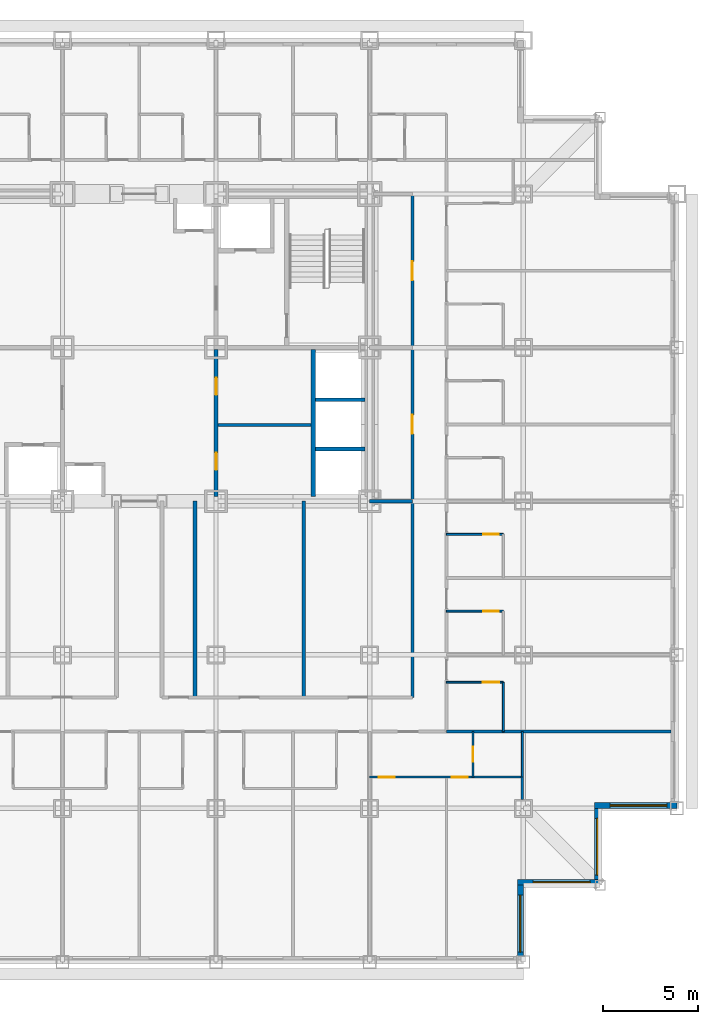
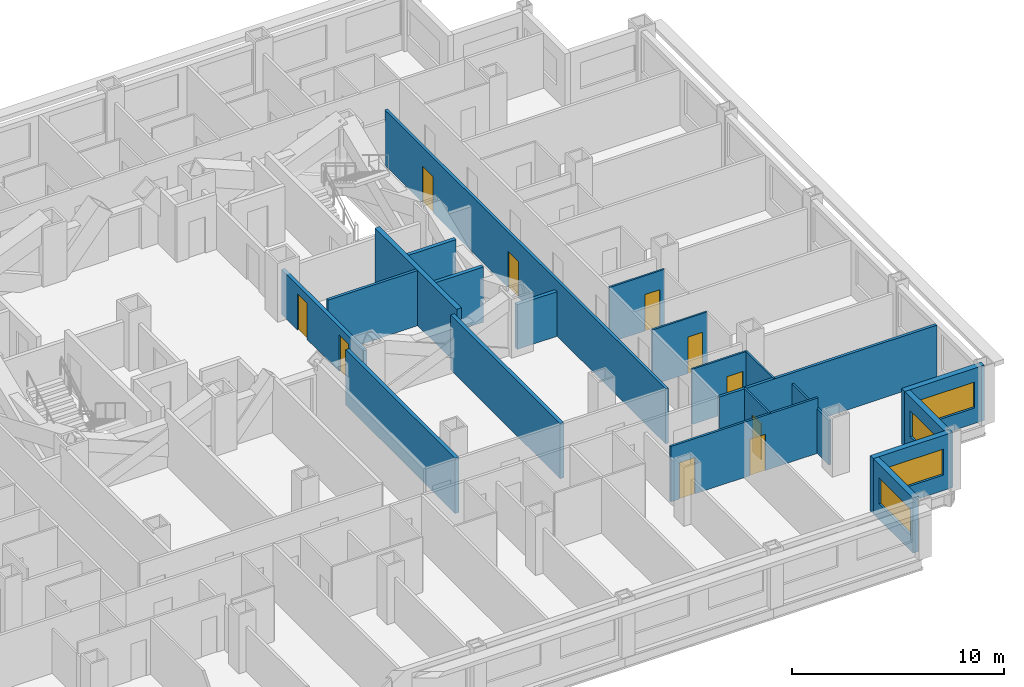
# One storey, part 6 of 11: 22 walls, 10 doors, 4 windows, 14 openings.
"""IFC4 building model written with IfcOpenShell, lengths in metres."""

from ifc_helpers import new_model, si_unit, direction, frame, frame_2d, origin, place, context, subcontext, project, spatial, rectangle, extrude, material, layer, layer_set, type_object, element, fill, save


model = new_model("IFC4")

# Units and contexts
model_context = context("Model", 3, precision=1e-05, world=origin(), true_north=direction((0.0, 1.0)))
body_context = subcontext(model_context, "Body", "Model", "MODEL_VIEW")
ifc_project = project(units=[si_unit("LENGTHUNIT", "METRE"), si_unit("AREAUNIT", "SQUARE_METRE"), si_unit("VOLUMEUNIT", "CUBIC_METRE"), si_unit("PLANEANGLEUNIT", "RADIAN"), si_unit("MASSUNIT", "GRAM", prefix="KILO")], contexts=[model_context])

# Site, building, storey
site_placement = place(None, origin())
site = spatial("IfcSite", under=ifc_project, at=site_placement, CompositionType="ELEMENT")
building_placement = place(site_placement, origin())
building = spatial("IfcBuilding", under=site, at=building_placement, Name="Kopane Lantern Tower", CompositionType="ELEMENT")
storey_placement = place(building_placement, frame((0.0, 0.0, 60.199951171875)))
storey = spatial("IfcBuildingStorey", under=building, at=storey_placement, Name="L14", CompositionType="ELEMENT", Elevation=60.199951171875)

# Wall, openings, doors
ifc_material_1 = material(Name="Gypsum board on steel studs", Category="steel")
ifc_layer_1 = layer(ifc_material_1, 0.1201171875)
ifc_layer_set_1 = layer_set([ifc_layer_1], Name="APARTMENT INTERNAL WALL 120")
wall_type_1 = type_object("IfcWallType", Name="APARTMENT INTERNAL WALL 120", PredefinedType="PARTITIONING", material=ifc_layer_set_1)
wall_1_placement = place(storey_placement, frame((40.5, 9.75, 0.0), z_axis=(0.0, 0.0, 1.0), x_axis=(1.0, 0.0, 0.0)))
wall_1 = element("IfcWall", 1, at=wall_1_placement, inside=storey, type_object=wall_type_1, Name="Apartment Internal Wall 120 L14", PredefinedType="PARTITIONING", context=body_context, shape_type="SweptSolid", body=[
    extrude(rectangle(XDim=8.050048828125, YDim=0.1201171875, at=frame_2d((4.02490234375, 0.0))), origin(), (0.0, 0.0, 1.0), 3.18994140625),
])
opening_1_placement = place(wall_1_placement, frame((0.47509765625, 0.0, 0.0)))
opening_1 = element("IfcOpeningElement", 2, at=opening_1_placement, cuts=wall_1, Name="Opening L14-067", PredefinedType="OPENING", context=body_context, shape_type="SweptSolid", body=[
    extrude(rectangle(XDim=0.85009765625, YDim=2.10009765625, at=frame_2d((0.425048828125, 1.050048828125))), frame((0.0, 0.070068359375, 0.0), z_axis=(0.0, -1.0, 0.0), x_axis=(1.0, 0.0, 0.0)), (0.0, 0.0, 1.0), 0.14013671875),
])
opening_2_placement = place(wall_1_placement, frame((4.324951171875, 0.0, 0.0)))
opening_2 = element("IfcOpeningElement", 3, at=opening_2_placement, cuts=wall_1, Name="Opening L14-069", PredefinedType="OPENING", context=body_context, shape_type="SweptSolid", body=[
    extrude(rectangle(XDim=0.85009765625, YDim=2.10009765625, at=frame_2d((0.425048828125, 1.050048828125))), frame((0.0, 0.070068359375, 0.0), z_axis=(0.0, -1.0, 0.0), x_axis=(1.0, 0.0, 0.0)), (0.0, 0.0, 1.0), 0.14013671875),
])
ifc_material_2 = material(Name="Timber door set", Category="wood")
door_type_1 = type_object("IfcDoorType", Name="DOOR D4 850x2100", OperationType="SINGLE_SWING_LEFT", PredefinedType="DOOR", material=ifc_material_2)
door_1_placement = place(opening_1_placement, origin())
door_1 = element("IfcDoor", 4, at=door_1_placement, inside=storey, type_object=door_type_1, Name="Door L14-067", OperationType="SINGLE_SWING_LEFT", OverallHeight=2.10009765625, OverallWidth=0.85009765625, PredefinedType="DOOR", context=body_context, shape_type="SweptSolid", body=[
    extrude(rectangle(XDim=0.85009765625, YDim=2.10009765625, at=frame_2d((0.425048828125, 1.050048828125))), frame((0.0, 0.02490234375, 0.0), z_axis=(0.0, -1.0, 0.0), x_axis=(1.0, 0.0, 0.0)), (0.0, 0.0, 1.0), 0.050048828125),
])
fill(opening_1, door_1)
door_2_placement = place(opening_2_placement, origin())
door_2 = element("IfcDoor", 5, at=door_2_placement, inside=storey, type_object=door_type_1, Name="Door L14-069", OperationType="SINGLE_SWING_RIGHT", OverallHeight=2.10009765625, OverallWidth=0.85009765625, PredefinedType="DOOR", context=body_context, shape_type="SweptSolid", body=[
    extrude(rectangle(XDim=0.85009765625, YDim=2.10009765625, at=frame_2d((0.425048828125, 1.050048828125))), frame((0.0, 0.02490234375, 0.0), z_axis=(0.0, -1.0, 0.0), x_axis=(1.0, 0.0, 0.0)), (0.0, 0.0, 1.0), 0.050048828125),
])
fill(opening_2, door_2)

# Walls
wall_2_placement = place(storey_placement, frame((48.550048828125, 9.75, 0.0), z_axis=(0.0, 0.0, 1.0), x_axis=(0.0, -1.0, 0.0)))
element("IfcWall", 6, at=wall_2_placement, inside=storey, type_object=wall_type_1, Name="Apartment Internal Wall 120 L14", PredefinedType="PARTITIONING", context=body_context, shape_type="SweptSolid", body=[
    extrude(rectangle(XDim=1.175048828125, YDim=0.1201171875, at=frame_2d((0.58740234375, 0.0))), origin(), (0.0, 0.0, 1.0), 2.577880859375),
])
ifc_material_3 = material(Name="Moisture-resistant board on steel studs", Category="steel")
ifc_layer_2 = layer(ifc_material_3, 0.10009765625)
ifc_layer_set_2 = layer_set([ifc_layer_2], Name="BATHROOM WALL 100")
wall_type_2 = type_object("IfcWallType", Name="BATHROOM WALL 100", PredefinedType="PARTITIONING", material=ifc_layer_set_2)
wall_3_placement = place(storey_placement, frame((47.550048828125, 12.14990234375, 0.0), z_axis=(0.0, 0.0, 1.0), x_axis=(0.0, 1.0, 0.0)))
element("IfcWall", 7, at=wall_3_placement, inside=storey, type_object=wall_type_2, Name="Bathroom Wall 100 L14", PredefinedType="PARTITIONING", context=body_context, shape_type="SweptSolid", body=[
    extrude(rectangle(XDim=2.60009765625, YDim=0.10009765625, at=frame_2d((1.300048828125, 0.0))), origin(), (0.0, 0.0, 1.0), 3.18994140625),
])

# Wall, opening, door
wall_4_placement = place(storey_placement, frame((44.550048828125, 14.75, 0.0), z_axis=(0.0, 0.0, 1.0), x_axis=(1.0, 0.0, 0.0)))
wall_4 = element("IfcWall", 8, at=wall_4_placement, inside=storey, type_object=wall_type_2, Name="Bathroom Wall 100 L14", PredefinedType="PARTITIONING", context=body_context, shape_type="SweptSolid", body=[
    extrude(rectangle(XDim=3.0, YDim=0.10009765625, at=frame_2d((1.5, 0.0))), origin(), (0.0, 0.0, 1.0), 3.18994140625),
])
opening_3_placement = place(wall_4_placement, frame((1.925048828125, 0.0, 0.0)))
opening_3 = element("IfcOpeningElement", 9, at=opening_3_placement, cuts=wall_4, Name="Opening L14-048", PredefinedType="OPENING", context=body_context, shape_type="SweptSolid", body=[
    extrude(rectangle(XDim=0.85009765625, YDim=2.10009765625, at=frame_2d((0.425048828125, 1.050048828125))), frame((0.0, 0.06005859375, 0.0), z_axis=(0.0, -1.0, 0.0), x_axis=(1.0, 0.0, 0.0)), (0.0, 0.0, 1.0), 0.1201171875),
])
door_3_placement = place(opening_3_placement, origin())
door_3 = element("IfcDoor", 10, at=door_3_placement, inside=storey, type_object=door_type_1, Name="Door L14-048", OperationType="SINGLE_SWING_LEFT", OverallHeight=2.10009765625, OverallWidth=0.85009765625, PredefinedType="DOOR", context=body_context, shape_type="SweptSolid", body=[
    extrude(rectangle(XDim=0.85009765625, YDim=2.10009765625, at=frame_2d((0.425048828125, 1.050048828125))), frame((0.0, 0.02490234375, 0.0), z_axis=(0.0, -1.0, 0.0), x_axis=(1.0, 0.0, 0.0)), (0.0, 0.0, 1.0), 0.050048828125),
])
fill(opening_3, door_3)

wall_5_placement = place(storey_placement, frame((44.550048828125, 18.5, 0.0), z_axis=(0.0, 0.0, 1.0), x_axis=(1.0, 0.0, 0.0)))
wall_5 = element("IfcWall", 11, at=wall_5_placement, inside=storey, type_object=wall_type_2, Name="Bathroom Wall 100 L14", PredefinedType="PARTITIONING", context=body_context, shape_type="SweptSolid", body=[
    extrude(rectangle(XDim=3.0, YDim=0.10009765625, at=frame_2d((1.5, 0.0))), origin(), (0.0, 0.0, 1.0), 3.18994140625),
])
opening_4_placement = place(wall_5_placement, frame((1.949951171875, 0.0, 0.0)))
opening_4 = element("IfcOpeningElement", 12, at=opening_4_placement, cuts=wall_5, Name="Opening L14-050", PredefinedType="OPENING", context=body_context, shape_type="SweptSolid", body=[
    extrude(rectangle(XDim=0.800048828125, YDim=2.10009765625, at=frame_2d((0.39990234375, 1.050048828125))), frame((0.0, 0.06005859375, 0.0), z_axis=(0.0, -1.0, 0.0), x_axis=(1.0, 0.0, 0.0)), (0.0, 0.0, 1.0), 0.1201171875),
])
ifc_material_4 = material(Name="Timber door set", Category="wood")
door_type_2 = type_object("IfcDoorType", Name="DOOR D2 800x2100", OperationType="SINGLE_SWING_LEFT", PredefinedType="DOOR", material=ifc_material_4)
door_4_placement = place(opening_4_placement, origin())
door_4 = element("IfcDoor", 13, at=door_4_placement, inside=storey, type_object=door_type_2, Name="Door L14-050", OperationType="SINGLE_SWING_LEFT", OverallHeight=2.10009765625, OverallWidth=0.800048828125, PredefinedType="DOOR", context=body_context, shape_type="SweptSolid", body=[
    extrude(rectangle(XDim=0.800048828125, YDim=2.10009765625, at=frame_2d((0.39990234375, 1.050048828125))), frame((0.0, 0.02490234375, 0.0), z_axis=(0.0, -1.0, 0.0), x_axis=(1.0, 0.0, 0.0)), (0.0, 0.0, 1.0), 0.050048828125),
])
fill(opening_4, door_4)

wall_6_placement = place(storey_placement, frame((44.550048828125, 22.550048828125, 0.0), z_axis=(0.0, 0.0, 1.0), x_axis=(1.0, 0.0, 0.0)))
wall_6 = element("IfcWall", 14, at=wall_6_placement, inside=storey, type_object=wall_type_2, Name="Bathroom Wall 100 L14", PredefinedType="PARTITIONING", context=body_context, shape_type="SweptSolid", body=[
    extrude(rectangle(XDim=3.0, YDim=0.10009765625, at=frame_2d((1.5, 0.0))), origin(), (0.0, 0.0, 1.0), 3.18994140625),
])
opening_5_placement = place(wall_6_placement, frame((1.949951171875, 0.0, 0.0)))
opening_5 = element("IfcOpeningElement", 15, at=opening_5_placement, cuts=wall_6, Name="Opening L14-052", PredefinedType="OPENING", context=body_context, shape_type="SweptSolid", body=[
    extrude(rectangle(XDim=0.800048828125, YDim=2.10009765625, at=frame_2d((0.39990234375, 1.050048828125))), frame((0.0, 0.06005859375, 0.0), z_axis=(0.0, -1.0, 0.0), x_axis=(1.0, 0.0, 0.0)), (0.0, 0.0, 1.0), 0.1201171875),
])
door_5_placement = place(opening_5_placement, origin())
door_5 = element("IfcDoor", 16, at=door_5_placement, inside=storey, type_object=door_type_2, Name="Door L14-052", OperationType="SINGLE_SWING_LEFT", OverallHeight=2.10009765625, OverallWidth=0.800048828125, PredefinedType="DOOR", context=body_context, shape_type="SweptSolid", body=[
    extrude(rectangle(XDim=0.800048828125, YDim=2.10009765625, at=frame_2d((0.39990234375, 1.050048828125))), frame((0.0, 0.02490234375, 0.0), z_axis=(0.0, -1.0, 0.0), x_axis=(1.0, 0.0, 0.0)), (0.0, 0.0, 1.0), 0.050048828125),
])
fill(opening_5, door_5)

wall_7_placement = place(storey_placement, frame((45.949951171875, 12.14990234375, 0.0), z_axis=(0.0, 0.0, 1.0), x_axis=(0.0, -1.0, 0.0)))
wall_7 = element("IfcWall", 17, at=wall_7_placement, inside=storey, type_object=wall_type_2, Name="Bathroom Wall 100 L14", PredefinedType="PARTITIONING", context=body_context, shape_type="SweptSolid", body=[
    extrude(rectangle(XDim=2.39990234375, YDim=0.10009765625, at=frame_2d((1.199951171875, 0.0))), origin(), (0.0, 0.0, 1.0), 3.18994140625),
])
opening_6_placement = place(wall_7_placement, frame((0.800048828125, 0.0, 0.0)))
opening_6 = element("IfcOpeningElement", 18, at=opening_6_placement, cuts=wall_7, Name="Opening L14-068", PredefinedType="OPENING", context=body_context, shape_type="SweptSolid", body=[
    extrude(rectangle(XDim=0.800048828125, YDim=2.10009765625, at=frame_2d((0.39990234375, 1.050048828125))), frame((0.0, 0.06005859375, 0.0), z_axis=(0.0, -1.0, 0.0), x_axis=(1.0, 0.0, 0.0)), (0.0, 0.0, 1.0), 0.1201171875),
])
door_6_placement = place(opening_6_placement, origin())
door_6 = element("IfcDoor", 19, at=door_6_placement, inside=storey, type_object=door_type_2, Name="Door L14-068", OperationType="SINGLE_SWING_LEFT", OverallHeight=2.10009765625, OverallWidth=0.800048828125, PredefinedType="DOOR", context=body_context, shape_type="SweptSolid", body=[
    extrude(rectangle(XDim=0.800048828125, YDim=2.10009765625, at=frame_2d((0.39990234375, 1.050048828125))), frame((0.0, 0.02490234375, 0.0), z_axis=(0.0, -1.0, 0.0), x_axis=(1.0, 0.0, 0.0)), (0.0, 0.0, 1.0), 0.050048828125),
])
fill(opening_6, door_6)

# Walls
wall_8_placement = place(storey_placement, frame((48.550048828125, 12.14990234375, 0.0), z_axis=(0.0, 0.0, 1.0), x_axis=(0.0, -1.0, 0.0)))
element("IfcWall", 20, at=wall_8_placement, inside=storey, type_object=wall_type_2, Name="Bathroom Wall 100 L14", PredefinedType="PARTITIONING", context=body_context, shape_type="SweptSolid", body=[
    extrude(rectangle(XDim=2.39990234375, YDim=0.10009765625, at=frame_2d((1.199951171875, 0.0))), origin(), (0.0, 0.0, 1.0), 2.577880859375),
])
ifc_material_5 = material(Name="Gypsum partition EI 60", Category="gypsum")
ifc_layer_3 = layer(ifc_material_5, 0.14990234375)
ifc_layer_set_3 = layer_set([ifc_layer_3], Name="CORE ROOM PARTITION 150 EI 60")
wall_type_3 = type_object("IfcWallType", Name="CORE ROOM PARTITION 150 EI 60", PredefinedType="PARTITIONING", material=ifc_layer_set_3)
wall_9_placement = place(storey_placement, frame((32.5, 28.324951171875, 0.0), z_axis=(0.0, 0.0, 1.0), x_axis=(1.0, 0.0, 0.0)))
element("IfcWall", 21, at=wall_9_placement, inside=storey, type_object=wall_type_3, Name="Core room partition L14 E1", PredefinedType="PARTITIONING", context=body_context, shape_type="SweptSolid", body=[
    extrude(rectangle(XDim=4.89990234375, YDim=0.14990234375, at=frame_2d((2.449951171875, 0.0))), origin(), (0.0, 0.0, 1.0), 3.18994140625),
])

# Wall, openings, doors
ifc_material_6 = material(Name="Gypsum partition EI 60", Category="gypsum")
ifc_layer_4 = layer(ifc_material_6, 0.199951171875)
ifc_layer_set_4 = layer_set([ifc_layer_4], Name="CORE ROOM WALL 200 EI 60")
wall_type_4 = type_object("IfcWallType", Name="CORE ROOM WALL 200 EI 60", PredefinedType="PARTITIONING", material=ifc_layer_set_4)
wall_10_placement = place(storey_placement, frame((32.39990234375, 24.550048828125, 0.0), z_axis=(0.0, 0.0, 1.0), x_axis=(0.0, 1.0, 0.0)))
wall_10 = element("IfcWall", 22, at=wall_10_placement, inside=storey, type_object=wall_type_4, Name="Core room wall L14 XE", PredefinedType="PARTITIONING", context=body_context, shape_type="SweptSolid", body=[
    extrude(rectangle(XDim=7.75, YDim=0.199951171875, at=frame_2d((3.875, 0.0))), origin(), (0.0, 0.0, 1.0), 2.577880859375),
])
opening_7_placement = place(wall_10_placement, frame((1.39990234375, 0.0, 0.0)))
opening_7 = element("IfcOpeningElement", 23, at=opening_7_placement, cuts=wall_10, Name="Opening 14.C20", PredefinedType="OPENING", context=body_context, shape_type="SweptSolid", body=[
    extrude(rectangle(XDim=0.89990234375, YDim=2.10009765625, at=frame_2d((0.449951171875, 1.050048828125))), frame((0.0, 0.10986328125, 0.0), z_axis=(0.0, -1.0, 0.0), x_axis=(1.0, 0.0, 0.0)), (0.0, 0.0, 1.0), 0.219970703125),
])
opening_8_placement = place(wall_10_placement, frame((5.35009765625, 0.0, 0.0)))
opening_8 = element("IfcOpeningElement", 24, at=opening_8_placement, cuts=wall_10, Name="Opening 14.C21", PredefinedType="OPENING", context=body_context, shape_type="SweptSolid", body=[
    extrude(rectangle(XDim=0.89990234375, YDim=2.10009765625, at=frame_2d((0.449951171875, 1.050048828125))), frame((0.0, 0.10986328125, 0.0), z_axis=(0.0, -1.0, 0.0), x_axis=(1.0, 0.0, 0.0)), (0.0, 0.0, 1.0), 0.219970703125),
])
ifc_material_7 = material(Name="Steel door set", Category="steel")
door_type_3 = type_object("IfcDoorType", Name="CORE ROOM DOOR 900x2100 FD60", OperationType="SINGLE_SWING_LEFT", PredefinedType="DOOR", material=ifc_material_7)
door_7_placement = place(opening_7_placement, origin())
door_7 = element("IfcDoor", 25, at=door_7_placement, inside=storey, type_object=door_type_3, Name="Door Linen store L14", OperationType="SINGLE_SWING_LEFT", OverallHeight=2.10009765625, OverallWidth=0.89990234375, PredefinedType="DOOR", context=body_context, shape_type="SweptSolid", body=[
    extrude(rectangle(XDim=0.89990234375, YDim=2.10009765625, at=frame_2d((0.449951171875, 1.050048828125))), frame((0.0, 0.02490234375, 0.0), z_axis=(0.0, -1.0, 0.0), x_axis=(1.0, 0.0, 0.0)), (0.0, 0.0, 1.0), 0.050048828125),
])
fill(opening_7, door_7)
door_8_placement = place(opening_8_placement, origin())
door_8 = element("IfcDoor", 26, at=door_8_placement, inside=storey, type_object=door_type_3, Name="Door Housekeeping store L14", OperationType="SINGLE_SWING_LEFT", OverallHeight=2.10009765625, OverallWidth=0.89990234375, PredefinedType="DOOR", context=body_context, shape_type="SweptSolid", body=[
    extrude(rectangle(XDim=0.89990234375, YDim=2.10009765625, at=frame_2d((0.449951171875, 1.050048828125))), frame((0.0, 0.02490234375, 0.0), z_axis=(0.0, -1.0, 0.0), x_axis=(1.0, 0.0, 0.0)), (0.0, 0.0, 1.0), 0.050048828125),
])
fill(opening_8, door_8)

# Wall
ifc_material_8 = material(Name="Gypsum shaft wall EI 120", Category="gypsum")
ifc_layer_5 = layer(ifc_material_8, 0.25)
ifc_layer_set_5 = layer_set([ifc_layer_5], Name="CORE SHAFT WALL 250 EI 120")
wall_type_5 = type_object("IfcWallType", Name="CORE SHAFT WALL 250 EI 120", PredefinedType="SOLIDWALL", material=ifc_layer_set_5)
wall_11_placement = place(storey_placement, frame((37.52490234375, 24.550048828125, 0.0), z_axis=(0.0, 0.0, 1.0), x_axis=(0.0, 1.0, 0.0)))
element("IfcWall", 27, at=wall_11_placement, inside=storey, type_object=wall_type_5, Name="Core shaft wall L14 XLR", PredefinedType="SOLIDWALL", context=body_context, shape_type="SweptSolid", body=[
    extrude(rectangle(XDim=7.75, YDim=0.25, at=frame_2d((3.875, 0.0))), origin(), (0.0, 0.0, 1.0), 3.18994140625),
])

# Wall, openings, doors
ifc_material_9 = material(Name="Gypsum board on steel studs", Category="steel")
ifc_layer_6 = layer(ifc_material_9, 0.14990234375)
ifc_layer_set_6 = layer_set([ifc_layer_6], Name="CORRIDOR WALL 150 EI 60")
wall_type_6 = type_object("IfcWallType", Name="CORRIDOR WALL 150 EI 60", PredefinedType="PARTITIONING", material=ifc_layer_set_6)
wall_12_placement = place(storey_placement, frame((42.75, 13.949951171875, 0.0), z_axis=(0.0, 0.0, 1.0), x_axis=(0.0, 1.0, 0.0)))
wall_12 = element("IfcWall", 28, at=wall_12_placement, inside=storey, type_object=wall_type_6, Name="Corridor Wall 150 Ei 60 L14", PredefinedType="PARTITIONING", context=body_context, shape_type="SweptSolid", body=[
    extrude(rectangle(XDim=26.550048828125, YDim=0.14990234375, at=frame_2d((13.27490234375, 0.0))), origin(), (0.0, 0.0, 1.0), 3.18994140625),
])
opening_9_placement = place(wall_12_placement, frame((13.89990234375, 0.0, 0.0)))
opening_9 = element("IfcOpeningElement", 29, at=opening_9_placement, cuts=wall_12, Name="Opening L14-003", PredefinedType="OPENING", context=body_context, shape_type="SweptSolid", body=[
    extrude(rectangle(XDim=1.0, YDim=2.10009765625, at=frame_2d((0.5, 1.050048828125))), frame((0.0, 0.0849609375, 0.0), z_axis=(0.0, -1.0, 0.0), x_axis=(1.0, 0.0, 0.0)), (0.0, 0.0, 1.0), 0.169921875),
])
opening_10_placement = place(wall_12_placement, frame((22.0, 0.0, 0.0)))
opening_10 = element("IfcOpeningElement", 30, at=opening_10_placement, cuts=wall_12, Name="Opening L14-004", PredefinedType="OPENING", context=body_context, shape_type="SweptSolid", body=[
    extrude(rectangle(XDim=1.0, YDim=2.10009765625, at=frame_2d((0.5, 1.050048828125))), frame((0.0, 0.0849609375, 0.0), z_axis=(0.0, -1.0, 0.0), x_axis=(1.0, 0.0, 0.0)), (0.0, 0.0, 1.0), 0.169921875),
])
ifc_material_10 = material(Name="Steel door set", Category="steel")
door_type_4 = type_object("IfcDoorType", Name="DOOR D5 1000x2100 FD60", OperationType="SINGLE_SWING_LEFT", PredefinedType="DOOR", material=ifc_material_10)
door_9_placement = place(opening_9_placement, origin())
door_9 = element("IfcDoor", 31, at=door_9_placement, inside=storey, type_object=door_type_4, Name="Door L14-003", OperationType="SINGLE_SWING_LEFT", OverallHeight=2.10009765625, OverallWidth=1.0, PredefinedType="DOOR", context=body_context, shape_type="SweptSolid", body=[
    extrude(rectangle(XDim=1.0, YDim=2.10009765625, at=frame_2d((0.5, 1.050048828125))), frame((0.0, 0.02490234375, 0.0), z_axis=(0.0, -1.0, 0.0), x_axis=(1.0, 0.0, 0.0)), (0.0, 0.0, 1.0), 0.050048828125),
])
fill(opening_9, door_9)
door_10_placement = place(opening_10_placement, origin())
door_10 = element("IfcDoor", 32, at=door_10_placement, inside=storey, type_object=door_type_4, Name="Door L14-004", OperationType="SINGLE_SWING_RIGHT", OverallHeight=2.10009765625, OverallWidth=1.0, PredefinedType="DOOR", context=body_context, shape_type="SweptSolid", body=[
    extrude(rectangle(XDim=1.0, YDim=2.10009765625, at=frame_2d((0.5, 1.050048828125))), frame((0.0, 0.02490234375, 0.0), z_axis=(0.0, -1.0, 0.0), x_axis=(1.0, 0.0, 0.0)), (0.0, 0.0, 1.0), 0.050048828125),
])
fill(opening_10, door_10)

# Wall
ifc_material_11 = material(Name="Gypsum board on steel studs", Category="steel")
ifc_layer_7 = layer(ifc_material_11, 0.14990234375)
ifc_layer_set_7 = layer_set([ifc_layer_7], Name="DEMISING WALL 150 EI 60")
wall_type_7 = type_object("IfcWallType", Name="DEMISING WALL 150 EI 60", PredefinedType="PARTITIONING", material=ifc_layer_set_7)
wall_13_placement = place(storey_placement, frame((44.550048828125, 12.14990234375, 0.0), z_axis=(0.0, 0.0, 1.0), x_axis=(1.0, 0.0, 0.0)))
element("IfcWall", 33, at=wall_13_placement, inside=storey, type_object=wall_type_7, Name="Demising Wall 150 Ei 60 L14", PredefinedType="PARTITIONING", context=body_context, shape_type="SweptSolid", body=[
    extrude(rectangle(XDim=11.849853515625, YDim=0.14990234375, at=frame_2d((5.9248046875, 0.0))), origin(), (0.0, 0.0, 1.0), 3.18994140625),
])

# Wall, opening, window
ifc_material_12 = material(Name="Terracotta rainscreen on light steel framing", Category="masonry")
ifc_layer_8 = layer(ifc_material_12, 0.300048828125)
ifc_layer_set_8 = layer_set([ifc_layer_8], Name="EXTERNAL WALL EW1 300 TERRACOTTA")
wall_type_8 = type_object("IfcWallType", Name="EXTERNAL WALL EW1 300 TERRACOTTA", PredefinedType="SOLIDWALL", material=ifc_layer_set_8)
wall_14_placement = place(storey_placement, frame((48.449951171875, 0.300048828125, 0.0), z_axis=(0.0, 0.0, 1.0), x_axis=(0.0, 1.0, 0.0)))
wall_14 = element("IfcWall", 34, at=wall_14_placement, inside=storey, type_object=wall_type_8, Name="External wall E L14", PredefinedType="SOLIDWALL", context=body_context, shape_type="SweptSolid", body=[
    extrude(rectangle(XDim=3.75, YDim=0.300048828125, at=frame_2d((1.875, 0.0))), origin(), (0.0, 0.0, 1.0), 3.18994140625),
])
opening_11_placement = place(wall_14_placement, frame((0.22509765625, 0.0, 0.89990234375)))
opening_11 = element("IfcOpeningElement", 35, at=opening_11_placement, cuts=wall_14, Name="Opening WR300150", PredefinedType="OPENING", context=body_context, shape_type="SweptSolid", body=[
    extrude(rectangle(XDim=3.0, YDim=1.5, at=frame_2d((1.5, 0.75))), frame((0.0, 0.159912109375, 0.0), z_axis=(0.0, -1.0, 0.0), x_axis=(1.0, 0.0, 0.0)), (0.0, 0.0, 1.0), 0.320068359375),
])
ifc_material_13 = material(Name="Aluminium and clear glass", Category="aluminium")
window_type = type_object("IfcWindowType", Name="RIBBON WINDOW WR300150 3000x1500", PartitioningType="SINGLE_PANEL", PredefinedType="WINDOW", material=ifc_material_13)
window_1_placement = place(opening_11_placement, origin())
window_1 = element("IfcWindow", 36, at=window_1_placement, inside=storey, type_object=window_type, Name="Window E L14", OverallHeight=1.5, OverallWidth=3.0, PartitioningType="SINGLE_PANEL", PredefinedType="WINDOW", context=body_context, shape_type="SweptSolid", body=[
    extrude(rectangle(XDim=3.0, YDim=1.5, at=frame_2d((1.5, 0.75))), frame((0.0, 0.030029296875, 0.0), z_axis=(0.0, -1.0, 0.0), x_axis=(1.0, 0.0, 0.0)), (0.0, 0.0, 1.0), 0.06005859375),
])
fill(opening_11, window_1)

wall_15_placement = place(storey_placement, frame((48.300048828125, 4.199951171875, 0.0), z_axis=(0.0, 0.0, 1.0), x_axis=(1.0, 0.0, 0.0)))
wall_15 = element("IfcWall", 37, at=wall_15_placement, inside=storey, type_object=wall_type_8, Name="External wall S L14", PredefinedType="SOLIDWALL", context=body_context, shape_type="SweptSolid", body=[
    extrude(rectangle(XDim=4.349853515625, YDim=0.300048828125, at=frame_2d((2.1748046875, 0.0))), origin(), (0.0, 0.0, 1.0), 3.18994140625),
])
opening_12_placement = place(wall_15_placement, frame((0.824951171875, 0.0, 0.89990234375)))
opening_12 = element("IfcOpeningElement", 38, at=opening_12_placement, cuts=wall_15, Name="Opening WR300150", PredefinedType="OPENING", context=body_context, shape_type="SweptSolid", body=[
    extrude(rectangle(XDim=3.0, YDim=1.5, at=frame_2d((1.5, 0.75))), frame((0.0, 0.159912109375, 0.0), z_axis=(0.0, -1.0, 0.0), x_axis=(1.0, 0.0, 0.0)), (0.0, 0.0, 1.0), 0.320068359375),
])
window_2_placement = place(opening_12_placement, origin())
window_2 = element("IfcWindow", 39, at=window_2_placement, inside=storey, type_object=window_type, Name="Window S L14", OverallHeight=1.5, OverallWidth=3.0, PartitioningType="SINGLE_PANEL", PredefinedType="WINDOW", context=body_context, shape_type="SweptSolid", body=[
    extrude(rectangle(XDim=3.0, YDim=1.5, at=frame_2d((1.5, 0.75))), frame((0.0, 0.030029296875, 0.0), z_axis=(0.0, -1.0, 0.0), x_axis=(1.0, 0.0, 0.0)), (0.0, 0.0, 1.0), 0.06005859375),
])
fill(opening_12, window_2)

wall_16_placement = place(storey_placement, frame((52.5, 4.35009765625, 0.0), z_axis=(0.0, 0.0, 1.0), x_axis=(0.0, 1.0, 0.0)))
wall_16 = element("IfcWall", 40, at=wall_16_placement, inside=storey, type_object=wall_type_8, Name="External wall E L14", PredefinedType="SOLIDWALL", context=body_context, shape_type="SweptSolid", body=[
    extrude(rectangle(XDim=3.75, YDim=0.300048828125, at=frame_2d((1.875, 0.0))), origin(), (0.0, 0.0, 1.0), 3.18994140625),
])
opening_13_placement = place(wall_16_placement, frame((0.22509765625, 0.0, 0.89990234375)))
opening_13 = element("IfcOpeningElement", 41, at=opening_13_placement, cuts=wall_16, Name="Opening WR300150", PredefinedType="OPENING", context=body_context, shape_type="SweptSolid", body=[
    extrude(rectangle(XDim=3.0, YDim=1.5, at=frame_2d((1.5, 0.75))), frame((0.0, 0.159912109375, 0.0), z_axis=(0.0, -1.0, 0.0), x_axis=(1.0, 0.0, 0.0)), (0.0, 0.0, 1.0), 0.320068359375),
])
window_3_placement = place(opening_13_placement, origin())
window_3 = element("IfcWindow", 42, at=window_3_placement, inside=storey, type_object=window_type, Name="Window E L14", OverallHeight=1.5, OverallWidth=3.0, PartitioningType="SINGLE_PANEL", PredefinedType="WINDOW", context=body_context, shape_type="SweptSolid", body=[
    extrude(rectangle(XDim=3.0, YDim=1.5, at=frame_2d((1.5, 0.75))), frame((0.0, 0.030029296875, 0.0), z_axis=(0.0, -1.0, 0.0), x_axis=(1.0, 0.0, 0.0)), (0.0, 0.0, 1.0), 0.06005859375),
])
fill(opening_13, window_3)

wall_17_placement = place(storey_placement, frame((52.35009765625, 8.25, 0.0), z_axis=(0.0, 0.0, 1.0), x_axis=(1.0, 0.0, 0.0)))
wall_17 = element("IfcWall", 43, at=wall_17_placement, inside=storey, type_object=wall_type_8, Name="External wall S L14", PredefinedType="SOLIDWALL", context=body_context, shape_type="SweptSolid", body=[
    extrude(rectangle(XDim=4.349853515625, YDim=0.300048828125, at=frame_2d((2.1748046875, 0.0))), origin(), (0.0, 0.0, 1.0), 3.18994140625),
])
opening_14_placement = place(wall_17_placement, frame((0.824951171875, 0.0, 0.89990234375)))
opening_14 = element("IfcOpeningElement", 44, at=opening_14_placement, cuts=wall_17, Name="Opening WR300150", PredefinedType="OPENING", context=body_context, shape_type="SweptSolid", body=[
    extrude(rectangle(XDim=3.0, YDim=1.5, at=frame_2d((1.5, 0.75))), frame((0.0, 0.159912109375, 0.0), z_axis=(0.0, -1.0, 0.0), x_axis=(1.0, 0.0, 0.0)), (0.0, 0.0, 1.0), 0.320068359375),
])
window_4_placement = place(opening_14_placement, origin())
window_4 = element("IfcWindow", 45, at=window_4_placement, inside=storey, type_object=window_type, Name="Window S L14", OverallHeight=1.5, OverallWidth=3.0, PartitioningType="SINGLE_PANEL", PredefinedType="WINDOW", context=body_context, shape_type="SweptSolid", body=[
    extrude(rectangle(XDim=3.0, YDim=1.5, at=frame_2d((1.5, 0.75))), frame((0.0, 0.030029296875, 0.0), z_axis=(0.0, -1.0, 0.0), x_axis=(1.0, 0.0, 0.0)), (0.0, 0.0, 1.0), 0.06005859375),
])
fill(opening_14, window_4)

# Walls
ifc_material_14 = material(Name="Concrete masonry", Category="masonry")
ifc_layer_9 = layer(ifc_material_14, 0.199951171875)
ifc_layer_set_9 = layer_set([ifc_layer_9], Name="PLANT ROOM WALL 200 EI 120")
wall_type_9 = type_object("IfcWallType", Name="PLANT ROOM WALL 200 EI 120", PredefinedType="SOLIDWALL", material=ifc_layer_set_9)
for number, where, z_axis, x_axis, name in (
    (46, (31.2890625, 13.949951171875, 0.0), (0.0, 0.0, 1.0), (0.0, 1.0, 0.0), "Plant Room Wall 200 Ei 120 L14"),
    (47, (37.01953125, 13.949951171875, 0.0), (0.0, 0.0, 1.0), (0.0, 1.0, 0.0), "Plant Room Wall 200 Ei 120 L14"),
):
    element("IfcWall", number, at=place(storey_placement, frame(where, z_axis=z_axis, x_axis=x_axis)), inside=storey, type_object=wall_type_9, Name=name, PredefinedType="SOLIDWALL", context=body_context, shape_type="SweptSolid", body=[
        extrude(rectangle(XDim=10.35009765625, YDim=0.199951171875, at=frame_2d((5.175048828125, 0.0))), origin(), (0.0, 0.0, 1.0), 3.18994140625),
    ])
wall_18_placement = place(storey_placement, frame((40.5, 24.300048828125, 0.0), z_axis=(0.0, 0.0, 1.0), x_axis=(1.0, 0.0, 0.0)))
element("IfcWall", 48, at=wall_18_placement, inside=storey, type_object=wall_type_9, Name="Plant Room Wall 200 Ei 120 L14", PredefinedType="SOLIDWALL", context=body_context, shape_type="SweptSolid", body=[
    extrude(rectangle(XDim=2.25, YDim=0.199951171875, at=frame_2d((1.125, 0.0))), origin(), (0.0, 0.0, 1.0), 2.577880859375),
])
ifc_material_15 = material(Name="Gypsum shaft wall EI 120", Category="gypsum")
ifc_layer_10 = layer(ifc_material_15, 0.199951171875)
ifc_layer_set_10 = layer_set([ifc_layer_10], Name="SHAFT WALL 200 EI 120")
wall_type_10 = type_object("IfcWallType", Name="SHAFT WALL 200 EI 120", PredefinedType="SOLIDWALL", material=ifc_layer_set_10)
for number, where, z_axis, x_axis, name in (
    (49, (37.64990234375, 27.050048828125, 0.0), (0.0, 0.0, 1.0), (1.0, 0.0, 0.0), "Core shaft wall L14 YLR12"),
    (50, (37.64990234375, 29.64990234375, 0.0), (0.0, 0.0, 1.0), (1.0, 0.0, 0.0), "Core shaft wall L14 YLR23"),
):
    element("IfcWall", number, at=place(storey_placement, frame(where, z_axis=z_axis, x_axis=x_axis)), inside=storey, type_object=wall_type_10, Name=name, PredefinedType="SOLIDWALL", context=body_context, shape_type="SweptSolid", body=[
        extrude(rectangle(XDim=2.60009765625, YDim=0.199951171875, at=frame_2d((1.300048828125, 0.0))), origin(), (0.0, 0.0, 1.0), 3.18994140625),
    ])

save(model, "model.ifc")
